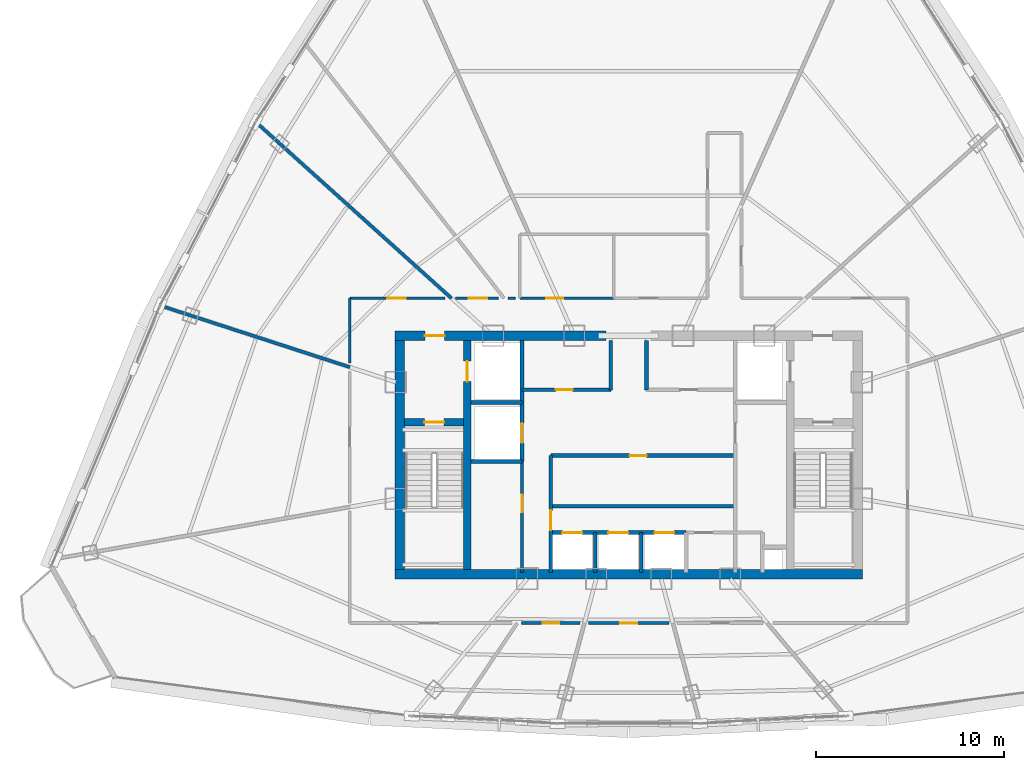
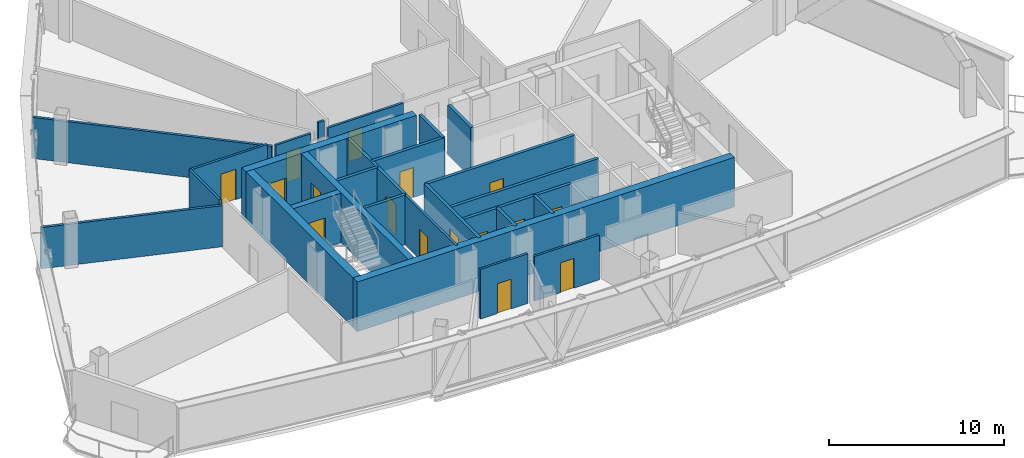
# One storey, part 30 of 35: 27 walls, 16 doors, 16 openings.
"""IFC4 building model written with IfcOpenShell, lengths in metres."""

from ifc_helpers import new_model, si_unit, direction, frame, frame_2d, origin, origin_with_axes, place, context, subcontext, project, spatial, rectangle, extrude, source, transform, mapped, material, layer, layer_set, type_object, element, fill, save


model = new_model("IFC4")

# Units and contexts
model_context = context("Model", 3, precision=1e-05, world=origin(), true_north=direction((0.0, 1.0)))
body_context = subcontext(model_context, "Body", "Model", "MODEL_VIEW")
ifc_project = project(units=[si_unit("LENGTHUNIT", "METRE"), si_unit("AREAUNIT", "SQUARE_METRE"), si_unit("VOLUMEUNIT", "CUBIC_METRE"), si_unit("PLANEANGLEUNIT", "RADIAN"), si_unit("MASSUNIT", "GRAM", prefix="KILO"), si_unit("THERMODYNAMICTEMPERATUREUNIT", "KELVIN"), si_unit("POWERUNIT", "WATT")], contexts=[model_context])

# Site, building, storey
site_placement = place(None, origin())
site = spatial("IfcSite", under=ifc_project, at=site_placement, CompositionType="ELEMENT")
building_placement = place(site_placement, origin())
building = spatial("IfcBuilding", under=site, at=building_placement, Name="Yunzhuo Pagoda Commons", CompositionType="ELEMENT")
storey_placement = place(building_placement, frame((0.0, 0.0, 303.669921875)))
storey = spatial("IfcBuildingStorey", under=building, at=storey_placement, Name="L76", CompositionType="ELEMENT", Elevation=303.669921875)

# Wall
ifc_material_1 = material(Name="Concrete C50", Category="concrete")
ifc_layer_1 = layer(ifc_material_1, 0.5)
ifc_layer_set_1 = layer_set([ifc_layer_1], Name="Concrete C50")
wall_type_1 = type_object("IfcWallType", Name="W-C03 Upper Core Shear Wall 500", PredefinedType="SHEAR", material=ifc_layer_set_1)
wall_1_placement = place(storey_placement, frame((35.550048828125, 27.5, 0.0), z_axis=(0.0, 0.0, 1.0), x_axis=(1.0, 0.0, 0.0)))
element("IfcWall", 1, at=wall_1_placement, inside=storey, type_object=wall_type_1, Name="L76 core shear wall S", PredefinedType="SHEAR", context=body_context, shape_type="SweptSolid", body=[
    extrude(rectangle(XDim=24.89990234375, YDim=0.5, at=frame_2d((12.449951171875, 0.0))), origin(), (0.0, 0.0, 1.0), 3.469970703125),
])

# Wall, opening, door
wall_2_placement = place(storey_placement, frame((35.550048828125, 40.199951171875, 0.0), z_axis=(0.0, 0.0, 1.0), x_axis=(1.0, 0.0, 0.0)))
wall_2 = element("IfcWall", 2, at=wall_2_placement, inside=storey, type_object=wall_type_1, Name="L76 core shear wall NW", PredefinedType="SHEAR", context=body_context, shape_type="SweptSolid", body=[
    extrude(rectangle(XDim=11.25, YDim=0.5, at=frame_2d((5.625, 0.0))), origin(), (0.0, 0.0, 1.0), 3.469970703125),
])
opening_1_placement = place(wall_2_placement, frame((1.60009765625, 0.0, 0.0)))
opening_1 = element("IfcOpeningElement", 3, at=opening_1_placement, cuts=wall_2, Name="Opening D-02", PredefinedType="OPENING", context=body_context, shape_type="SweptSolid", body=[
    extrude(rectangle(XDim=1.050048828125, YDim=2.10009765625, at=frame_2d((0.52490234375, 1.050048828125))), frame((0.0, 0.260009765625, 0.0), z_axis=(0.0, -1.0, 0.0), x_axis=(1.0, 0.0, 0.0)), (0.0, 0.0, 1.0), 0.52001953125),
])
ifc_material_2 = material(Name="Galvanized fire-resisting metal leaf")
door_type_1 = type_object("IfcDoorType", Name="D-02 Firefighting Lobby & Refuge Fire Door 1050x2100", OperationType="NOTDEFINED", PredefinedType="DOOR", material=ifc_material_2)
shared_shape_1 = source(origin(), body_context, "Body", "SweptSolid", [
    extrude(rectangle(XDim=1.050048828125, YDim=2.10009765625, at=frame_2d((0.52490234375, 1.050048828125))), frame((0.0, 0.02490234375, 0.0), z_axis=(0.0, -1.0, 0.0), x_axis=(1.0, 0.0, 0.0)), (0.0, 0.0, 1.0), 0.050048828125),
])
door_1_placement = place(opening_1_placement, frame((1.050048828125, 0.0, 0.0), z_axis=(0.0, 0.0, 1.0), x_axis=(-1.0, 0.0, 0.0)))
door_1 = element("IfcDoor", 4, at=door_1_placement, inside=storey, type_object=door_type_1, Name="L76 Firefighting Lobby 1 fire door", OperationType="SINGLE_SWING_LEFT", OverallHeight=2.10009765625, OverallWidth=1.050048828125, PredefinedType="DOOR", context=body_context, shape_type="MappedRepresentation", body=[
    mapped(shared_shape_1, transform((0.0, 0.0, 0.0), scale=1.0)),
])
fill(opening_1, door_1)

# Wall
wall_3_placement = place(storey_placement, frame((35.800048828125, 27.75, 0.0), z_axis=(0.0, 0.0, 1.0), x_axis=(0.0, 1.0, 0.0)))
element("IfcWall", 5, at=wall_3_placement, inside=storey, type_object=wall_type_1, Name="L76 core shear wall W", PredefinedType="SHEAR", context=body_context, shape_type="SweptSolid", body=[
    extrude(rectangle(XDim=12.199951171875, YDim=0.5, at=frame_2d((6.10009765625, 0.0))), origin(), (0.0, 0.0, 1.0), 3.469970703125),
])

# Wall, opening, door
ifc_material_3 = material(Name="Gypsum plasterboard on acoustic stud")
ifc_layer_2 = layer(ifc_material_3, 0.14990234375)
ifc_layer_set_2 = layer_set([ifc_layer_2], Name="Gypsum plasterboard on acoustic stud")
wall_type_2 = type_object("IfcWallType", Name="W-COR3 High-Zone Rated Corridor Wall 150", PredefinedType="PARTITIONING", material=ifc_layer_set_2)
wall_4_placement = place(storey_placement, frame((42.320068359375, 27.60009765625, 0.0), z_axis=(0.0, 0.0, 1.0), x_axis=(0.0, 1.0, 0.0)))
wall_4 = element("IfcWall", 6, at=wall_4_placement, inside=storey, type_object=wall_type_2, Name="L76 interior wall IW-L76-CSWE", PredefinedType="PARTITIONING", context=body_context, shape_type="SweptSolid", body=[
    extrude(rectangle(XDim=5.89990234375, YDim=0.14990234375, at=frame_2d((2.949951171875, 0.0))), origin(), (0.0, 0.0, 1.0), 3.469970703125),
])
opening_2_placement = place(wall_4_placement, frame((3.199951171875, 0.0, 0.0)))
opening_2 = element("IfcOpeningElement", 7, at=opening_2_placement, cuts=wall_4, Name="Opening D-11", PredefinedType="OPENING", context=body_context, shape_type="SweptSolid", body=[
    extrude(rectangle(XDim=0.93994140625, YDim=2.10009765625, at=frame_2d((0.469970703125, 1.050048828125))), frame((0.0, 0.0849609375, 0.0), z_axis=(0.0, -1.0, 0.0), x_axis=(1.0, 0.0, 0.0)), (0.0, 0.0, 1.0), 0.169921875),
])
door_type_2 = type_object("IfcDoorType", Name="D-11 Accessible Washroom Fire Door 940x2100", OperationType="NOTDEFINED", PredefinedType="DOOR", material=ifc_material_2)
shared_shape_2 = source(origin(), body_context, "Body", "SweptSolid", [
    extrude(rectangle(XDim=0.93994140625, YDim=2.10009765625, at=frame_2d((0.469970703125, 1.050048828125))), frame((0.0, 0.02490234375, 0.0), z_axis=(0.0, -1.0, 0.0), x_axis=(1.0, 0.0, 0.0)), (0.0, 0.0, 1.0), 0.050048828125),
])
door_2_placement = place(opening_2_placement, origin_with_axes())
door_2 = element("IfcDoor", 8, at=door_2_placement, inside=storey, type_object=door_type_2, Name="L76 core WC door", OperationType="SINGLE_SWING_LEFT", OverallHeight=2.10009765625, OverallWidth=0.93994140625, PredefinedType="DOOR", context=body_context, shape_type="MappedRepresentation", body=[
    mapped(shared_shape_2, transform((0.0, 0.0, 0.0), scale=1.0)),
])
fill(opening_2, door_2)

wall_5_placement = place(storey_placement, frame((42.199951171875, 42.199951171875, 0.0), z_axis=(0.0, 0.0, 1.0), x_axis=(1.0, 0.0, 0.0)))
wall_5 = element("IfcWall", 9, at=wall_5_placement, inside=storey, type_object=wall_type_2, Name="L76 interior wall IW-L76-TFWS", PredefinedType="PARTITIONING", context=body_context, shape_type="SweptSolid", body=[
    extrude(rectangle(XDim=5.0, YDim=0.14990234375, at=frame_2d((2.5, 0.0))), origin(), (0.0, 0.0, 1.0), 2.8701171875),
])
opening_3_placement = place(wall_5_placement, frame((1.39990234375, 0.0, 0.0)))
opening_3 = element("IfcOpeningElement", 10, at=opening_3_placement, cuts=wall_5, Name="Opening D-04", PredefinedType="OPENING", context=body_context, shape_type="SweptSolid", body=[
    extrude(rectangle(XDim=0.919921875, YDim=2.10009765625, at=frame_2d((0.4599609375, 1.050048828125))), frame((0.0, 0.0849609375, 0.0), z_axis=(0.0, -1.0, 0.0), x_axis=(1.0, 0.0, 0.0)), (0.0, 0.0, 1.0), 0.169921875),
])
ifc_material_4 = material(Name="Powder-coated aluminium and timber acoustic leaf", Category="wood")
door_type_3 = type_object("IfcDoorType", Name="D-04 Bedroom & Study Interior Door 920x2100", OperationType="NOTDEFINED", PredefinedType="DOOR", material=ifc_material_4)
shared_shape_3 = source(origin(), body_context, "Body", "SweptSolid", [
    extrude(rectangle(XDim=0.919921875, YDim=2.10009765625, at=frame_2d((0.4599609375, 1.050048828125))), frame((0.0, 0.02490234375, 0.0), z_axis=(0.0, -1.0, 0.0), x_axis=(1.0, 0.0, 0.0)), (0.0, 0.0, 1.0), 0.050048828125),
])
door_3_placement = place(opening_3_placement, frame((0.919921875, 0.0, 0.0), z_axis=(0.0, 0.0, 1.0), x_axis=(-1.0, 0.0, 0.0)))
door_3 = element("IfcDoor", 11, at=door_3_placement, inside=storey, type_object=door_type_3, Name="L76 laundry door", OperationType="SINGLE_SWING_LEFT", OverallHeight=2.10009765625, OverallWidth=0.919921875, PredefinedType="DOOR", context=body_context, shape_type="MappedRepresentation", body=[
    mapped(shared_shape_3, transform((0.0, 0.0, 0.0), scale=1.0)),
])
fill(opening_3, door_3)

# Wall
wall_6_placement = place(storey_placement, frame((33.14990234375, 38.75634765625, 0.0), z_axis=(0.0, 0.0, 1.0), x_axis=(0.0, 1.0, 0.0)))
element("IfcWall", 12, at=wall_6_placement, inside=storey, type_object=wall_type_2, Name="L76 interior wall IW-L76-CWL03", PredefinedType="PARTITIONING", context=body_context, shape_type="SweptSolid", body=[
    extrude(rectangle(XDim=3.443603515625, YDim=0.14990234375, at=frame_2d((1.7216796875, 0.0))), origin(), (0.0, 0.0, 1.0), 3.1201171875),
])

# Wall, opening, door
wall_7_placement = place(storey_placement, frame((33.14990234375, 42.199951171875, 0.0), z_axis=(0.0, 0.0, 1.0), x_axis=(1.0, 0.0, 0.0)))
wall_7 = element("IfcWall", 13, at=wall_7_placement, inside=storey, type_object=wall_type_2, Name="L76 interior wall IW-L76-CWL04", PredefinedType="PARTITIONING", context=body_context, shape_type="SweptSolid", body=[
    extrude(rectangle(XDim=5.0810546875, YDim=0.14990234375, at=frame_2d((2.54052734375, 0.0))), origin(), (0.0, 0.0, 1.0), 3.1201171875),
])
opening_4_placement = place(wall_7_placement, frame((2.0, 0.0, 0.0)))
opening_4 = element("IfcOpeningElement", 14, at=opening_4_placement, cuts=wall_7, Name="Opening D-08", PredefinedType="OPENING", context=body_context, shape_type="SweptSolid", body=[
    extrude(rectangle(XDim=0.97998046875, YDim=2.1201171875, at=frame_2d((0.489990234375, 1.06005859375))), frame((0.0, 0.0849609375, 0.0), z_axis=(0.0, -1.0, 0.0), x_axis=(1.0, 0.0, 0.0)), (0.0, 0.0, 1.0), 0.169921875),
])
door_type_4 = type_object("IfcDoorType", Name="D-08 High-Zone Suite Entrance Fire Door 980x2120", OperationType="NOTDEFINED", PredefinedType="DOOR", material=ifc_material_2)
shared_shape_4 = source(origin(), body_context, "Body", "SweptSolid", [
    extrude(rectangle(XDim=0.97998046875, YDim=2.1201171875, at=frame_2d((0.489990234375, 1.06005859375))), frame((0.0, 0.02490234375, 0.0), z_axis=(0.0, -1.0, 0.0), x_axis=(1.0, 0.0, 0.0)), (0.0, 0.0, 1.0), 0.050048828125),
])
door_4_placement = place(opening_4_placement, origin_with_axes())
door_4 = element("IfcDoor", 15, at=door_4_placement, inside=storey, type_object=door_type_4, Name="L76 unit 06 entrance door", OperationType="SINGLE_SWING_RIGHT", OverallHeight=2.1201171875, OverallWidth=0.97998046875, PredefinedType="DOOR", context=body_context, shape_type="MappedRepresentation", body=[
    mapped(shared_shape_4, transform((0.0, 0.0, 0.0), scale=1.0)),
])
fill(opening_4, door_4)

wall_8_placement = place(storey_placement, frame((38.779541015625, 42.199951171875, 0.0), z_axis=(0.0, 0.0, 1.0), x_axis=(1.0, 0.0, 0.0)))
wall_8 = element("IfcWall", 16, at=wall_8_placement, inside=storey, type_object=wall_type_2, Name="L76 interior wall IW-L76-CWL05", PredefinedType="PARTITIONING", context=body_context, shape_type="SweptSolid", body=[
    extrude(rectangle(XDim=2.30029296875, YDim=0.14990234375, at=frame_2d((1.150146484375, 0.0))), origin(), (0.0, 0.0, 1.0), 2.8701171875),
])
opening_5_placement = place(wall_8_placement, frame((0.705078125, 0.0, 0.0)))
opening_5 = element("IfcOpeningElement", 17, at=opening_5_placement, cuts=wall_8, Name="Opening D-08", PredefinedType="OPENING", context=body_context, shape_type="SweptSolid", body=[
    extrude(rectangle(XDim=0.97998046875, YDim=2.1201171875, at=frame_2d((0.489990234375, 1.06005859375))), frame((0.0, 0.0849609375, 0.0), z_axis=(0.0, -1.0, 0.0), x_axis=(1.0, 0.0, 0.0)), (0.0, 0.0, 1.0), 0.169921875),
])
door_5_placement = place(opening_5_placement, origin_with_axes())
door_5 = element("IfcDoor", 18, at=door_5_placement, inside=storey, type_object=door_type_4, Name="L76 unit 05 entrance door", OperationType="SINGLE_SWING_LEFT", OverallHeight=2.1201171875, OverallWidth=0.97998046875, PredefinedType="DOOR", context=body_context, shape_type="MappedRepresentation", body=[
    mapped(shared_shape_4, transform((0.0, 0.0, 0.0), scale=1.0)),
])
fill(opening_5, door_5)

# Wall
wall_9_placement = place(storey_placement, frame((41.578857421875, 42.199951171875, 0.0), z_axis=(0.0, 0.0, 1.0), x_axis=(1.0, 0.0, 0.0)))
element("IfcWall", 19, at=wall_9_placement, inside=storey, type_object=wall_type_2, Name="L76 interior wall IW-L76-CWL06", PredefinedType="PARTITIONING", context=body_context, shape_type="SweptSolid", body=[
    extrude(rectangle(XDim=0.401123046875, YDim=0.14990234375, at=frame_2d((0.20068359375, 0.0))), origin(), (0.0, 0.0, 1.0), 3.469970703125),
])

# Wall, opening, door
wall_10_placement = place(storey_placement, frame((50.13818359375, 24.89990234375, 0.0), z_axis=(0.0, 0.0, 1.0), x_axis=(-1.0, 0.0, 0.0)))
wall_10 = element("IfcWall", 20, at=wall_10_placement, inside=storey, type_object=wall_type_2, Name="L76 interior wall IW-L76-CWL17", PredefinedType="PARTITIONING", context=body_context, shape_type="SweptSolid", body=[
    extrude(rectangle(XDim=4.2763671875, YDim=0.14990234375, at=frame_2d((2.13818359375, 0.0))), origin(), (0.0, 0.0, 1.0), 3.1201171875),
])
opening_6_placement = place(wall_10_placement, frame((1.67822265625, 0.0, 0.0)))
opening_6 = element("IfcOpeningElement", 21, at=opening_6_placement, cuts=wall_10, Name="Opening D-12", PredefinedType="OPENING", context=body_context, shape_type="SweptSolid", body=[
    extrude(rectangle(XDim=0.89990234375, YDim=2.080078125, at=frame_2d((0.449951171875, 1.0400390625))), frame((0.0, 0.0849609375, 0.0), z_axis=(0.0, -1.0, 0.0), x_axis=(1.0, 0.0, 0.0)), (0.0, 0.0, 1.0), 0.169921875),
])
door_type_5 = type_object("IfcDoorType", Name="D-12 Quiet Study Interior Door 900x2080", OperationType="NOTDEFINED", PredefinedType="DOOR", material=ifc_material_4)
shared_shape_5 = source(origin(), body_context, "Body", "SweptSolid", [
    extrude(rectangle(XDim=0.89990234375, YDim=2.080078125, at=frame_2d((0.449951171875, 1.0400390625))), frame((0.0, 0.02490234375, 0.0), z_axis=(0.0, -1.0, 0.0), x_axis=(1.0, 0.0, 0.0)), (0.0, 0.0, 1.0), 0.050048828125),
])
door_6_placement = place(opening_6_placement, origin_with_axes())
door_6 = element("IfcDoor", 22, at=door_6_placement, inside=storey, type_object=door_type_5, Name="L76 study lounge 10 door", OperationType="SINGLE_SWING_RIGHT", OverallHeight=2.080078125, OverallWidth=0.89990234375, PredefinedType="DOOR", context=body_context, shape_type="MappedRepresentation", body=[
    mapped(shared_shape_5, transform((0.0, 0.0, 0.0), scale=1.0)),
])
fill(opening_6, door_6)

wall_11_placement = place(storey_placement, frame((45.414306640625, 24.89990234375, 0.0), z_axis=(0.0, 0.0, 1.0), x_axis=(-1.0, 0.0, 0.0)))
wall_11 = element("IfcWall", 23, at=wall_11_placement, inside=storey, type_object=wall_type_2, Name="L76 interior wall IW-L76-CWL18", PredefinedType="PARTITIONING", context=body_context, shape_type="SweptSolid", body=[
    extrude(rectangle(XDim=3.130126953125, YDim=0.14990234375, at=frame_2d((1.56494140625, 0.0))), origin(), (0.0, 0.0, 1.0), 3.469970703125),
])
opening_7_placement = place(wall_11_placement, frame((1.10107421875, 0.0, 0.0)))
opening_7 = element("IfcOpeningElement", 24, at=opening_7_placement, cuts=wall_11, Name="Opening D-12", PredefinedType="OPENING", context=body_context, shape_type="SweptSolid", body=[
    extrude(rectangle(XDim=0.89990234375, YDim=2.080078125, at=frame_2d((0.449951171875, 1.0400390625))), frame((0.0, 0.0849609375, 0.0), z_axis=(0.0, -1.0, 0.0), x_axis=(1.0, 0.0, 0.0)), (0.0, 0.0, 1.0), 0.169921875),
])
door_7_placement = place(opening_7_placement, origin_with_axes())
door_7 = element("IfcDoor", 25, at=door_7_placement, inside=storey, type_object=door_type_5, Name="L76 study lounge 09 door", OperationType="SINGLE_SWING_LEFT", OverallHeight=2.080078125, OverallWidth=0.89990234375, PredefinedType="DOOR", context=body_context, shape_type="MappedRepresentation", body=[
    mapped(shared_shape_5, transform((0.0, 0.0, 0.0), scale=1.0)),
])
fill(opening_7, door_7)

# Walls
ifc_layer_3 = layer(ifc_material_3, 0.169921875)
ifc_layer_set_3 = layer_set([ifc_layer_3], Name="Gypsum plasterboard on acoustic stud")
wall_type_3 = type_object("IfcWallType", Name="W-PRT4 High-Zone Demising Wall 170", PredefinedType="PARTITIONING", material=ifc_layer_set_3)
wall_12_placement = place(storey_placement, frame((38.559814453125, 42.199951171875, 0.0), z_axis=(0.0, 0.0, 1.0), x_axis=(-0.74314439151, 0.669131088329, 0.0)))
element("IfcWall", 26, at=wall_12_placement, inside=storey, type_object=wall_type_3, Name="L76 interior wall IW-L76-RAD06", PredefinedType="PARTITIONING", context=body_context, shape_type="SweptSolid", body=[
    extrude(rectangle(XDim=14.025634765625, YDim=0.169921875, at=frame_2d((7.0126953125, 0.0))), origin(), (0.0, 0.0, 1.0), 2.8701171875),
])
wall_13_placement = place(storey_placement, frame((33.14990234375, 38.525146484375, 0.0), z_axis=(0.0, 0.0, 1.0), x_axis=(-0.951060589798, 0.309004457141, 0.0)))
element("IfcWall", 27, at=wall_13_placement, inside=storey, type_object=wall_type_3, Name="L76 interior wall IW-L76-RAD07", PredefinedType="PARTITIONING", context=body_context, shape_type="SweptSolid", body=[
    extrude(rectangle(XDim=10.61962890625, YDim=0.169921875, at=frame_2d((5.309814453125, 0.0))), origin(), (0.0, 0.0, 1.0), 2.8701171875),
])

# Wall, opening, door
ifc_material_5 = material(Name="Concrete C60", Category="concrete")
ifc_layer_4 = layer(ifc_material_5, 0.39990234375)
ifc_layer_set_4 = layer_set([ifc_layer_4], Name="Concrete C60")
wall_type_4 = type_object("IfcWallType", Name="W-S01 Internal Core Shear Web 400", PredefinedType="SHEAR", material=ifc_layer_set_4)
wall_14_placement = place(storey_placement, frame((39.39990234375, 27.75, 0.0), z_axis=(0.0, 0.0, 1.0), x_axis=(0.0, 1.0, 0.0)))
wall_14 = element("IfcWall", 28, at=wall_14_placement, inside=storey, type_object=wall_type_4, Name="L76 core shear wall WEBW", PredefinedType="SHEAR", context=body_context, shape_type="SweptSolid", body=[
    extrude(rectangle(XDim=12.199951171875, YDim=0.39990234375, at=frame_2d((6.10009765625, 0.0))), origin(), (0.0, 0.0, 1.0), 3.469970703125),
])
opening_8_placement = place(wall_14_placement, frame((10.0, 0.0, 0.0)))
opening_8 = element("IfcOpeningElement", 29, at=opening_8_placement, cuts=wall_14, Name="Opening LD-01", PredefinedType="OPENING", context=body_context, shape_type="SweptSolid", body=[
    extrude(rectangle(XDim=1.10009765625, YDim=2.10009765625, at=frame_2d((0.550048828125, 1.050048828125))), frame((0.0, 0.2099609375, 0.0), z_axis=(0.0, -1.0, 0.0), x_axis=(1.0, 0.0, 0.0)), (0.0, 0.0, 1.0), 0.419921875),
])
door_type_6 = type_object("IfcDoorType", Name="LD-01 Firefighting Lift Landing Door 1100x2100", OperationType="DOUBLE_DOOR_SLIDING", PredefinedType="DOOR", material=ifc_material_2)
shared_shape_6 = source(origin(), body_context, "Body", "SweptSolid", [
    extrude(rectangle(XDim=1.10009765625, YDim=2.10009765625, at=frame_2d((0.550048828125, 1.050048828125))), frame((0.0, 0.02490234375, 0.0), z_axis=(0.0, -1.0, 0.0), x_axis=(1.0, 0.0, 0.0)), (0.0, 0.0, 1.0), 0.050048828125),
])
door_8_placement = place(opening_8_placement, frame((1.10009765625, 0.0, 0.0), z_axis=(0.0, 0.0, 1.0), x_axis=(-1.0, 0.0, 0.0)))
door_8 = element("IfcDoor", 30, at=door_8_placement, inside=storey, type_object=door_type_6, Name="L76 Firefighting lift FL-1 landing door", OperationType="DOUBLE_DOOR_SLIDING", OverallHeight=2.10009765625, OverallWidth=1.10009765625, PredefinedType="DOOR", context=body_context, shape_type="MappedRepresentation", body=[
    mapped(shared_shape_6, transform((0.0, 0.0, 0.0), scale=1.0)),
])
fill(opening_8, door_8)

wall_15_placement = place(storey_placement, frame((36.050048828125, 35.60009765625, 0.0), z_axis=(0.0, 0.0, 1.0), x_axis=(1.0, 0.0, 0.0)))
wall_15 = element("IfcWall", 31, at=wall_15_placement, inside=storey, type_object=wall_type_4, Name="L76 core shear wall STW", PredefinedType="SHEAR", context=body_context, shape_type="SweptSolid", body=[
    extrude(rectangle(XDim=3.14990234375, YDim=0.39990234375, at=frame_2d((1.574951171875, 0.0))), origin(), (0.0, 0.0, 1.0), 3.469970703125),
])
opening_9_placement = place(wall_15_placement, frame((1.070068359375, 0.0, 0.0)))
opening_9 = element("IfcOpeningElement", 32, at=opening_9_placement, cuts=wall_15, Name="Opening D-01", PredefinedType="OPENING", context=body_context, shape_type="SweptSolid", body=[
    extrude(rectangle(XDim=1.050048828125, YDim=2.10009765625, at=frame_2d((0.52490234375, 1.050048828125))), frame((0.0, 0.2099609375, 0.0), z_axis=(0.0, -1.0, 0.0), x_axis=(1.0, 0.0, 0.0)), (0.0, 0.0, 1.0), 0.419921875),
])
door_type_7 = type_object("IfcDoorType", Name="D-01 Smokeproof Stair Fire Door 1050x2100", OperationType="NOTDEFINED", PredefinedType="DOOR", material=ifc_material_2)
door_9_placement = place(opening_9_placement, frame((1.050048828125, 0.0, 0.0), z_axis=(0.0, 0.0, 1.0), x_axis=(-1.0, 0.0, 0.0)))
door_9 = element("IfcDoor", 33, at=door_9_placement, inside=storey, type_object=door_type_7, Name="L76 Stair ST1 fire door", OperationType="SINGLE_SWING_LEFT", OverallHeight=2.10009765625, OverallWidth=1.050048828125, PredefinedType="DOOR", context=body_context, shape_type="MappedRepresentation", body=[
    mapped(shared_shape_1, transform((0.0, 0.0, 0.0), scale=1.0)),
])
fill(opening_9, door_9)

ifc_material_6 = material(Name="Concrete C40", Category="concrete")
ifc_layer_5 = layer(ifc_material_6, 0.199951171875)
ifc_layer_set_5 = layer_set([ifc_layer_5], Name="Concrete C40")
wall_type_5 = type_object("IfcWallType", Name="W-SHF Shaft & Stair Enclosure Wall 200", PredefinedType="SOLIDWALL", material=ifc_layer_set_5)
wall_16_placement = place(storey_placement, frame((42.320068359375, 33.5, 0.0), z_axis=(0.0, 0.0, 1.0), x_axis=(0.0, 1.0, 0.0)))
wall_16 = element("IfcWall", 34, at=wall_16_placement, inside=storey, type_object=wall_type_5, Name="L76 interior wall IW-L76-FL1E", PredefinedType="SOLIDWALL", context=body_context, shape_type="SweptSolid", body=[
    extrude(rectangle(XDim=6.449951171875, YDim=0.199951171875, at=frame_2d((3.22509765625, 0.0))), origin(), (0.0, 0.0, 1.0), 3.469970703125),
])
opening_10_placement = place(wall_16_placement, frame((1.0, 0.0, 0.0)))
opening_10 = element("IfcOpeningElement", 35, at=opening_10_placement, cuts=wall_16, Name="Opening LD-02", PredefinedType="OPENING", context=body_context, shape_type="SweptSolid", body=[
    extrude(rectangle(XDim=1.050048828125, YDim=2.10009765625, at=frame_2d((0.52490234375, 1.050048828125))), frame((0.0, 0.10986328125, 0.0), z_axis=(0.0, -1.0, 0.0), x_axis=(1.0, 0.0, 0.0)), (0.0, 0.0, 1.0), 0.219970703125),
])
door_type_8 = type_object("IfcDoorType", Name="LD-02 Passenger Lift Landing Door 1050x2100", OperationType="DOUBLE_DOOR_SLIDING", PredefinedType="DOOR", material=ifc_material_2)
door_10_placement = place(opening_10_placement, origin_with_axes())
door_10 = element("IfcDoor", 36, at=door_10_placement, inside=storey, type_object=door_type_8, Name="L76 Service lift SL-1 landing door", OperationType="DOUBLE_DOOR_SLIDING", OverallHeight=2.10009765625, OverallWidth=1.050048828125, PredefinedType="DOOR", context=body_context, shape_type="MappedRepresentation", body=[
    mapped(shared_shape_1, transform((0.0, 0.0, 0.0), scale=1.0)),
])
fill(opening_10, door_10)

# Walls
for number, where, z_axis, x_axis, name in (
    (37, (39.60009765625, 36.64990234375, 0.0), (0.0, 0.0, 1.0), (1.0, 0.0, 0.0), "L76 interior wall IW-L76-FL1S"),
    (38, (39.60009765625, 33.5, 0.0), (0.0, 0.0, 1.0), (1.0, 0.0, 0.0), "L76 interior wall IW-L76-SL1S"),
):
    element("IfcWall", number, at=place(storey_placement, frame(where, z_axis=z_axis, x_axis=x_axis)), inside=storey, type_object=wall_type_5, Name=name, PredefinedType="SOLIDWALL", context=body_context, shape_type="SweptSolid", body=[
        extrude(rectangle(XDim=2.719970703125, YDim=0.199951171875, at=frame_2d((1.35986328125, 0.0))), origin(), (0.0, 0.0, 1.0), 3.469970703125),
    ])

# Wall, opening, door
wall_17_placement = place(storey_placement, frame((42.320068359375, 37.320068359375, 0.0), z_axis=(0.0, 0.0, 1.0), x_axis=(1.0, 0.0, 0.0)))
wall_17 = element("IfcWall", 39, at=wall_17_placement, inside=storey, type_object=wall_type_5, Name="L76 interior wall IW-L76-LBNW", PredefinedType="SOLIDWALL", context=body_context, shape_type="SweptSolid", body=[
    extrude(rectangle(XDim=4.72998046875, YDim=0.199951171875, at=frame_2d((2.364990234375, 0.0))), origin(), (0.0, 0.0, 1.0), 3.469970703125),
])
opening_11_placement = place(wall_17_placement, frame((1.800048828125, 0.0, 0.0)))
opening_11 = element("IfcOpeningElement", 40, at=opening_11_placement, cuts=wall_17, Name="Opening D-03", PredefinedType="OPENING", context=body_context, shape_type="SweptSolid", body=[
    extrude(rectangle(XDim=0.89990234375, YDim=2.10009765625, at=frame_2d((0.449951171875, 1.050048828125))), frame((0.0, 0.10986328125, 0.0), z_axis=(0.0, -1.0, 0.0), x_axis=(1.0, 0.0, 0.0)), (0.0, 0.0, 1.0), 0.219970703125),
])
door_type_9 = type_object("IfcDoorType", Name="D-03 Core Service Fire Door 900x2100", OperationType="NOTDEFINED", PredefinedType="DOOR", material=ifc_material_2)
shared_shape_7 = source(origin(), body_context, "Body", "SweptSolid", [
    extrude(rectangle(XDim=0.89990234375, YDim=2.10009765625, at=frame_2d((0.449951171875, 1.050048828125))), frame((0.0, 0.02490234375, 0.0), z_axis=(0.0, -1.0, 0.0), x_axis=(1.0, 0.0, 0.0)), (0.0, 0.0, 1.0), 0.050048828125),
])
door_11_placement = place(opening_11_placement, frame((0.89990234375, 0.0, 0.0), z_axis=(0.0, 0.0, 1.0), x_axis=(-1.0, 0.0, 0.0)))
door_11 = element("IfcDoor", 41, at=door_11_placement, inside=storey, type_object=door_type_9, Name="L76 core west store door", OperationType="SINGLE_SWING_LEFT", OverallHeight=2.10009765625, OverallWidth=0.89990234375, PredefinedType="DOOR", context=body_context, shape_type="MappedRepresentation", body=[
    mapped(shared_shape_7, transform((0.0, 0.0, 0.0), scale=1.0)),
])
fill(opening_11, door_11)

# Walls
for number, where, z_axis, x_axis, name in (
    (42, (47.050048828125, 37.320068359375, 0.0), (0.0, 0.0, 1.0), (0.0, 1.0, 0.0), "L76 interior wall IW-L76-THRW"),
    (43, (48.949951171875, 37.320068359375, 0.0), (0.0, 0.0, 1.0), (0.0, 1.0, 0.0), "L76 interior wall IW-L76-THRE"),
):
    element("IfcWall", number, at=place(storey_placement, frame(where, z_axis=z_axis, x_axis=x_axis)), inside=storey, type_object=wall_type_5, Name=name, PredefinedType="SOLIDWALL", context=body_context, shape_type="SweptSolid", body=[
        extrude(rectangle(XDim=2.6298828125, YDim=0.199951171875, at=frame_2d((1.31494140625, 0.0))), origin(), (0.0, 0.0, 1.0), 3.469970703125),
    ])

# Wall, opening, door
wall_18_placement = place(storey_placement, frame((43.85009765625, 33.820068359375, 0.0), z_axis=(0.0, 0.0, 1.0), x_axis=(1.0, 0.0, 0.0)))
wall_18 = element("IfcWall", 44, at=wall_18_placement, inside=storey, type_object=wall_type_5, Name="L76 interior wall IW-L76-MLBS", PredefinedType="SOLIDWALL", context=body_context, shape_type="SweptSolid", body=[
    extrude(rectangle(XDim=9.829833984375, YDim=0.199951171875, at=frame_2d((4.9150390625, 0.0))), origin(), (0.0, 0.0, 1.0), 3.469970703125),
])
opening_12_placement = place(wall_18_placement, frame((4.199951171875, 0.0, 0.0)))
opening_12 = element("IfcOpeningElement", 45, at=opening_12_placement, cuts=wall_18, Name="Opening D-03", PredefinedType="OPENING", context=body_context, shape_type="SweptSolid", body=[
    extrude(rectangle(XDim=0.89990234375, YDim=2.10009765625, at=frame_2d((0.449951171875, 1.050048828125))), frame((0.0, 0.10986328125, 0.0), z_axis=(0.0, -1.0, 0.0), x_axis=(1.0, 0.0, 0.0)), (0.0, 0.0, 1.0), 0.219970703125),
])
door_12_placement = place(opening_12_placement, origin_with_axes())
door_12 = element("IfcDoor", 46, at=door_12_placement, inside=storey, type_object=door_type_9, Name="L76 core archive store door", OperationType="SINGLE_SWING_LEFT", OverallHeight=2.10009765625, OverallWidth=0.89990234375, PredefinedType="DOOR", context=body_context, shape_type="MappedRepresentation", body=[
    mapped(shared_shape_7, transform((0.0, 0.0, 0.0), scale=1.0)),
])
fill(opening_12, door_12)

wall_19_placement = place(storey_placement, frame((43.85009765625, 27.60009765625, 0.0), z_axis=(0.0, 0.0, 1.0), x_axis=(0.0, 1.0, 0.0)))
wall_19 = element("IfcWall", 47, at=wall_19_placement, inside=storey, type_object=wall_type_5, Name="L76 interior wall IW-L76-PLMW", PredefinedType="SOLIDWALL", context=body_context, shape_type="SweptSolid", body=[
    extrude(rectangle(XDim=6.219970703125, YDim=0.199951171875, at=frame_2d((3.10986328125, 0.0))), origin(), (0.0, 0.0, 1.0), 3.469970703125),
])
opening_13_placement = place(wall_19_placement, frame((2.25, 0.0, 0.0)))
opening_13 = element("IfcOpeningElement", 48, at=opening_13_placement, cuts=wall_19, Name="Opening D-02", PredefinedType="OPENING", context=body_context, shape_type="SweptSolid", body=[
    extrude(rectangle(XDim=1.050048828125, YDim=2.10009765625, at=frame_2d((0.52490234375, 1.050048828125))), frame((0.0, 0.10986328125, 0.0), z_axis=(0.0, -1.0, 0.0), x_axis=(1.0, 0.0, 0.0)), (0.0, 0.0, 1.0), 0.219970703125),
])
door_13_placement = place(opening_13_placement, frame((1.050048828125, 0.0, 0.0), z_axis=(0.0, 0.0, 1.0), x_axis=(-1.0, 0.0, 0.0)))
door_13 = element("IfcDoor", 49, at=door_13_placement, inside=storey, type_object=door_type_1, Name="L76 High-bank hall west door", OperationType="SINGLE_SWING_LEFT", OverallHeight=2.10009765625, OverallWidth=1.050048828125, PredefinedType="DOOR", context=body_context, shape_type="MappedRepresentation", body=[
    mapped(shared_shape_1, transform((0.0, 0.0, 0.0), scale=1.0)),
])
fill(opening_13, door_13)

# Wall, openings, doors
wall_20_placement = place(storey_placement, frame((43.85009765625, 29.719970703125, 0.0), z_axis=(0.0, 0.0, 1.0), x_axis=(1.0, 0.0, 0.0)))
wall_20 = element("IfcWall", 50, at=wall_20_placement, inside=storey, type_object=wall_type_5, Name="L76 interior wall IW-L76-PLHN", PredefinedType="SOLIDWALL", context=body_context, shape_type="SweptSolid", body=[
    extrude(rectangle(XDim=7.199951171875, YDim=0.199951171875, at=frame_2d((3.60009765625, 0.0))), origin(), (0.0, 0.0, 1.0), 3.469970703125),
])
opening_14_placement = place(wall_20_placement, frame((0.625, 0.0, 0.0)))
opening_14 = element("IfcOpeningElement", 51, at=opening_14_placement, cuts=wall_20, Name="Opening LD-02", PredefinedType="OPENING", context=body_context, shape_type="SweptSolid", body=[
    extrude(rectangle(XDim=1.050048828125, YDim=2.10009765625, at=frame_2d((0.52490234375, 1.050048828125))), frame((0.0, 0.10986328125, 0.0), z_axis=(0.0, -1.0, 0.0), x_axis=(1.0, 0.0, 0.0)), (0.0, 0.0, 1.0), 0.219970703125),
])
opening_15_placement = place(wall_20_placement, frame((3.074951171875, 0.0, 0.0)))
opening_15 = element("IfcOpeningElement", 52, at=opening_15_placement, cuts=wall_20, Name="Opening LD-02", PredefinedType="OPENING", context=body_context, shape_type="SweptSolid", body=[
    extrude(rectangle(XDim=1.050048828125, YDim=2.10009765625, at=frame_2d((0.52490234375, 1.050048828125))), frame((0.0, 0.10986328125, 0.0), z_axis=(0.0, -1.0, 0.0), x_axis=(1.0, 0.0, 0.0)), (0.0, 0.0, 1.0), 0.219970703125),
])
opening_16_placement = place(wall_20_placement, frame((5.52490234375, 0.0, 0.0)))
opening_16 = element("IfcOpeningElement", 53, at=opening_16_placement, cuts=wall_20, Name="Opening LD-02", PredefinedType="OPENING", context=body_context, shape_type="SweptSolid", body=[
    extrude(rectangle(XDim=1.050048828125, YDim=2.10009765625, at=frame_2d((0.52490234375, 1.050048828125))), frame((0.0, 0.10986328125, 0.0), z_axis=(0.0, -1.0, 0.0), x_axis=(1.0, 0.0, 0.0)), (0.0, 0.0, 1.0), 0.219970703125),
])
door_14_placement = place(opening_14_placement, origin_with_axes())
door_14 = element("IfcDoor", 54, at=door_14_placement, inside=storey, type_object=door_type_8, Name="L76 Passenger lift PL-H1 landing door", OperationType="DOUBLE_DOOR_SLIDING", OverallHeight=2.10009765625, OverallWidth=1.050048828125, PredefinedType="DOOR", context=body_context, shape_type="MappedRepresentation", body=[
    mapped(shared_shape_1, transform((0.0, 0.0, 0.0), scale=1.0)),
])
fill(opening_14, door_14)
door_15_placement = place(opening_15_placement, origin_with_axes())
door_15 = element("IfcDoor", 55, at=door_15_placement, inside=storey, type_object=door_type_8, Name="L76 Passenger lift PL-H2 landing door", OperationType="DOUBLE_DOOR_SLIDING", OverallHeight=2.10009765625, OverallWidth=1.050048828125, PredefinedType="DOOR", context=body_context, shape_type="MappedRepresentation", body=[
    mapped(shared_shape_1, transform((0.0, 0.0, 0.0), scale=1.0)),
])
fill(opening_15, door_15)
door_16_placement = place(opening_16_placement, origin_with_axes())
door_16 = element("IfcDoor", 56, at=door_16_placement, inside=storey, type_object=door_type_8, Name="L76 Passenger lift PL-H3 landing door", OperationType="DOUBLE_DOOR_SLIDING", OverallHeight=2.10009765625, OverallWidth=1.050048828125, PredefinedType="DOOR", context=body_context, shape_type="MappedRepresentation", body=[
    mapped(shared_shape_1, transform((0.0, 0.0, 0.0), scale=1.0)),
])
fill(opening_16, door_16)

# Walls
wall_21_placement = place(storey_placement, frame((43.85009765625, 31.1201171875, 0.0), z_axis=(0.0, 0.0, 1.0), x_axis=(1.0, 0.0, 0.0)))
element("IfcWall", 57, at=wall_21_placement, inside=storey, type_object=wall_type_5, Name="L76 interior wall IW-L76-PLMS2", PredefinedType="SOLIDWALL", context=body_context, shape_type="SweptSolid", body=[
    extrude(rectangle(XDim=9.829833984375, YDim=0.199951171875, at=frame_2d((4.9150390625, 0.0))), origin(), (0.0, 0.0, 1.0), 3.469970703125),
])
for number, where, z_axis, x_axis, name in (
    (58, (46.22509765625, 27.60009765625, 0.0), (0.0, 0.0, 1.0), (0.0, 1.0, 0.0), "L76 interior wall IW-L76-PLHD1"),
    (59, (48.675048828125, 27.60009765625, 0.0), (0.0, 0.0, 1.0), (0.0, 1.0, 0.0), "L76 interior wall IW-L76-PLHD2"),
):
    element("IfcWall", number, at=place(storey_placement, frame(where, z_axis=z_axis, x_axis=x_axis)), inside=storey, type_object=wall_type_5, Name=name, PredefinedType="SOLIDWALL", context=body_context, shape_type="SweptSolid", body=[
        extrude(rectangle(XDim=2.119873046875, YDim=0.199951171875, at=frame_2d((1.06005859375, 0.0))), origin(), (0.0, 0.0, 1.0), 3.469970703125),
    ])

save(model, "model.ifc")
